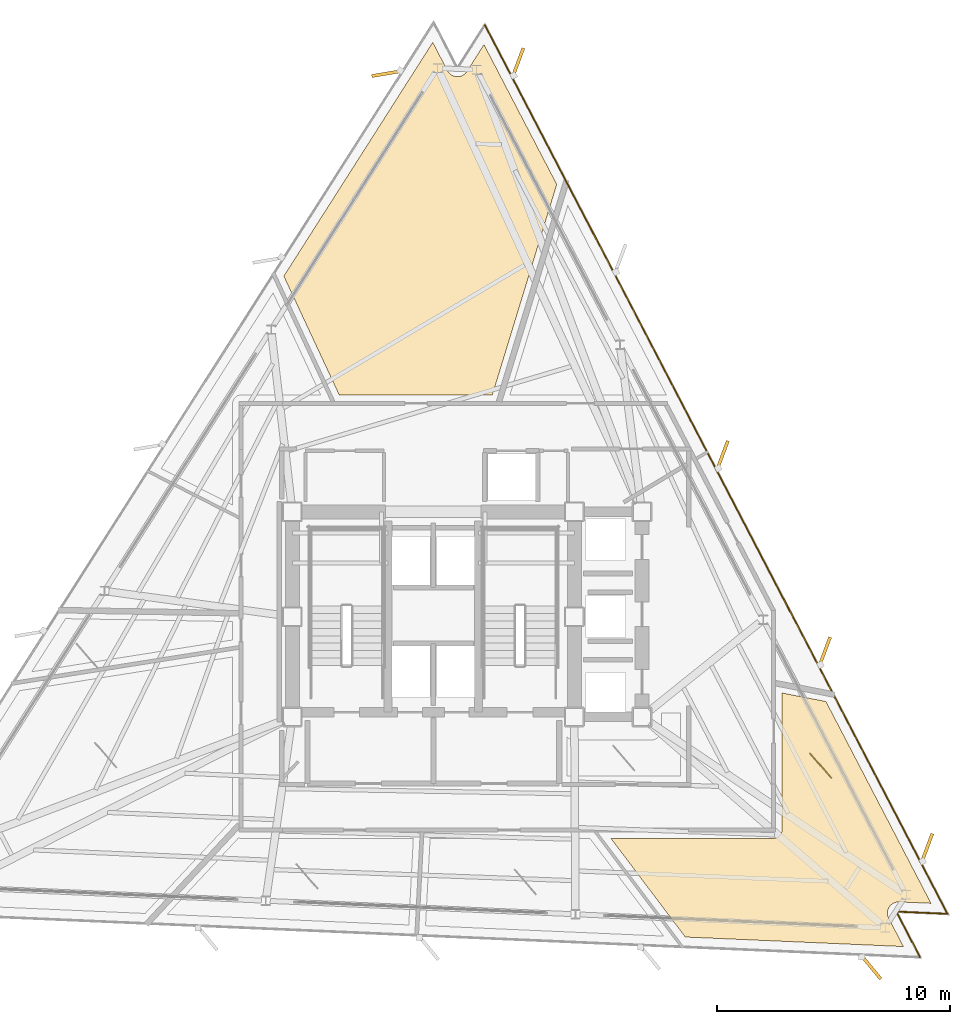
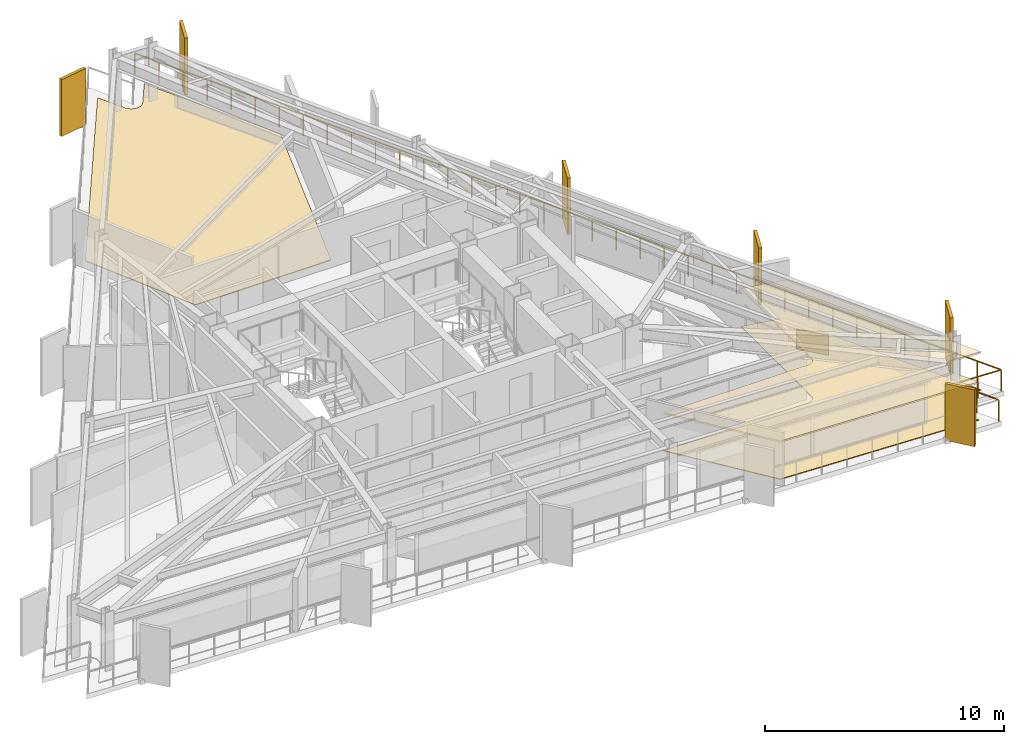
# One storey, part 12 of 12: 6 shading devices, 4 coverings, 1 railing.
"""IFC4 building model written with IfcOpenShell, lengths in metres."""

from ifc_helpers import new_model, si_unit, direction, frame, origin, origin_2d, place, context, subcontext, project, spatial, polyline, rectangle, outline, extrude, material, layer, layer_set, type_object, element, save


model = new_model("IFC4")

# Units and contexts
model_context = context("Model", 3, precision=1e-05, world=origin(), true_north=direction((0.0, 1.0)))
body_context = subcontext(model_context, "Body", "Model", "MODEL_VIEW")
ifc_project = project(units=[si_unit("LENGTHUNIT", "METRE"), si_unit("AREAUNIT", "SQUARE_METRE"), si_unit("VOLUMEUNIT", "CUBIC_METRE"), si_unit("PLANEANGLEUNIT", "RADIAN"), si_unit("MASSUNIT", "GRAM", prefix="KILO")], contexts=[model_context])

# Site, building, storey
site_placement = place(None, origin())
site = spatial("IfcSite", under=ifc_project, at=site_placement, CompositionType="ELEMENT")
building_placement = place(site_placement, origin())
building = spatial("IfcBuilding", under=site, at=building_placement, Name="Rocaltana Carrier Exchange", CompositionType="ELEMENT")
storey_placement = place(building_placement, frame((0.0, 0.0, 141.1201171875)))
storey = spatial("IfcBuildingStorey", under=building, at=storey_placement, Name="L44", CompositionType="ELEMENT", Elevation=141.1201171875)

# Coverings
ifc_material_1 = material(Name="Honed Bogota Sandstone Tile", Category="masonry")
ifc_layer_1 = layer(ifc_material_1, 0.0400390625)
ifc_layer_set_1 = layer_set([ifc_layer_1], Name="Honed Bogota Sandstone Tile")
covering_type_1 = type_object("IfcCoveringType", Name="Honed Stone Lobby Flooring 40", PredefinedType="FLOORING", material=ifc_layer_set_1)
covering_1_placement = place(storey_placement, origin())
element("IfcCovering", 1, at=covering_1_placement, inside=storey, type_object=covering_type_1, Name="L44 Optical Switching Laboratory Finish Floor", PredefinedType="FLOORING", context=body_context, shape_type="SweptSolid", body=[
    extrude(outline(polyline([(21.352294921875, -12.298828125), (19.985107421875, -12.239013671875), (19.97119140625, -12.23876953125), (19.951171875, -12.239013671875), (19.92333984375, -12.240478515625), (19.903564453125, -12.24267578125), (19.8759765625, -12.246826171875), (19.8564453125, -12.2509765625), (19.829345703125, -12.258056640625), (19.810302734375, -12.263916015625), (19.7841796875, -12.273681640625), (19.765869140625, -12.281494140625), (19.740966796875, -12.2939453125), (19.723388671875, -12.303466796875), (19.69970703125, -12.318115234375), (19.683349609375, -12.32958984375), (19.6611328125, -12.3466796875), (19.64599609375, -12.359619140625), (19.62548828125, -12.378662109375), (19.61181640625, -12.392822265625), (19.593505859375, -12.4140625), (19.5810546875, -12.4296875), (19.56494140625, -12.452392578125), (19.55419921875, -12.46923828125), (19.540283203125, -12.493408203125), (19.531494140625, -12.51123046875), (19.52001953125, -12.536865234375), (19.512939453125, -12.555419921875), (19.504150390625, -12.581787109375), (19.498779296875, -12.601318359375), (19.492919921875, -12.62841796875), (19.489501953125, -12.648193359375), (19.486328125, -12.67578125), (19.48486328125, -12.69580078125), (19.484375, -12.7236328125), (19.485107421875, -12.743408203125), (19.4873046875, -12.771240234375), (19.489990234375, -12.791015625), (19.494873046875, -12.818603515625), (19.49951171875, -12.837890625), (19.507080078125, -12.86474609375), (19.513671875, -12.8837890625), (19.52392578125, -12.90966796875), (19.5322265625, -12.927734375), (19.538330078125, -12.940185546875), (20.17041015625, -14.154296875), (10.80859375, -13.74560546875), (7.6171875, -9.510009765625), (14.60009765625, -9.510009765625), (14.61376953125, -9.509765625), (14.62158203125, -9.50927734375), (14.64892578125, -9.506591796875), (14.65673828125, -9.50537109375), (14.68359375, -9.5), (14.69140625, -9.498291015625), (14.717529296875, -9.490234375), (14.724853515625, -9.487548828125), (14.750244140625, -9.47705078125), (14.75732421875, -9.4736328125), (14.78173828125, -9.460693359375), (14.788330078125, -9.456787109375), (14.811279296875, -9.44140625), (14.8173828125, -9.436767578125), (14.8388671875, -9.419189453125), (14.844482421875, -9.4140625), (14.864013671875, -9.39453125), (14.869384765625, -9.388916015625), (14.88671875, -9.367431640625), (14.891357421875, -9.361083984375), (14.90673828125, -9.33837890625), (14.91064453125, -9.331787109375), (14.923583984375, -9.307373046875), (14.927001953125, -9.30029296875), (14.9375, -9.27490234375), (14.940185546875, -9.267578125), (14.9482421875, -9.2412109375), (14.9501953125, -9.233642578125), (14.955322265625, -9.206787109375), (14.95654296875, -9.198974609375), (14.959228515625, -9.171630859375), (14.959716796875, -9.163818359375), (14.9599609375, -9.14990234375), (14.9599609375, -3.274658203125), (16.845703125, -3.64111328125), (21.352294921875, -12.298828125)])), origin(), (0.0, 0.0, 1.0), 0.039794921875),
])
covering_2_placement = place(storey_placement, origin())
element("IfcCovering", 2, at=covering_2_placement, inside=storey, type_object=covering_type_1, Name="L44 Client Reception Foyer Finish Floor", PredefinedType="FLOORING", context=body_context, shape_type="SweptSolid", body=[
    extrude(outline(polyline([(-0.025146484375, 24.64111328125), (0.606689453125, 23.42724609375), (0.613525390625, 23.4150390625), (0.62353515625, 23.397705078125), (0.638916015625, 23.37451171875), (0.650634765625, 23.3583984375), (0.668212890625, 23.336669921875), (0.681396484375, 23.32177734375), (0.700927734375, 23.3017578125), (0.7158203125, 23.288330078125), (0.7373046875, 23.2705078125), (0.753173828125, 23.258544921875), (0.7763671875, 23.242919921875), (0.79345703125, 23.232666015625), (0.818115234375, 23.219482421875), (0.8359375, 23.2109375), (0.86181640625, 23.2001953125), (0.880615234375, 23.193603515625), (0.9072265625, 23.185546875), (0.9267578125, 23.180908203125), (0.9541015625, 23.17529296875), (0.973876953125, 23.172607421875), (1.001708984375, 23.169921875), (1.021484375, 23.169189453125), (1.04931640625, 23.169189453125), (1.0693359375, 23.17041015625), (1.09716796875, 23.17333984375), (1.11669921875, 23.176513671875), (1.14404296875, 23.18212890625), (1.163330078125, 23.18701171875), (1.18994140625, 23.195556640625), (1.208740234375, 23.202392578125), (1.234375, 23.21337890625), (1.252197265625, 23.22216796875), (1.276611328125, 23.235595703125), (1.293701171875, 23.24609375), (1.316650390625, 23.26220703125), (1.33251953125, 23.2744140625), (1.353759765625, 23.292236328125), (1.368408203125, 23.305908203125), (1.3876953125, 23.326171875), (1.400634765625, 23.341064453125), (1.41796875, 23.363037109375), (1.429443359375, 23.37939453125), (1.437255859375, 23.390869140625), (2.172607421875, 24.545166015625), (5.29443359375, 18.548583984375), (2.531005859375, 9.510009765625), (-4.037353515625, 9.510009765625), (-6.41552734375, 14.610107421875), (-0.025146484375, 24.64111328125)])), origin(), (0.0, 0.0, 1.0), 0.039794921875),
])
ifc_material_2 = material(Name="Anodised Aluminium 6063-T6", Category="aluminium")
ifc_layer_2 = layer(ifc_material_2, 0.0849609375)
ifc_layer_set_2 = layer_set([ifc_layer_2], Name="Anodised Aluminium 6063-T6")
covering_type_2 = type_object("IfcCoveringType", Name="Linear Baffle Acoustic Ceiling 85", PredefinedType="CEILING", material=ifc_layer_set_2)
covering_3_placement = place(storey_placement, frame((0.0, 0.0, 1.892822265625)))
element("IfcCovering", 3, at=covering_3_placement, inside=storey, type_object=covering_type_2, Name="L44 Optical Switching Laboratory Acoustic Ceiling", PredefinedType="CEILING", context=body_context, shape_type="SweptSolid", body=[
    extrude(outline(polyline([(21.352294921875, -12.298828125), (19.985107421875, -12.239013671875), (19.97119140625, -12.23876953125), (19.951171875, -12.239013671875), (19.92333984375, -12.240478515625), (19.903564453125, -12.24267578125), (19.8759765625, -12.246826171875), (19.8564453125, -12.2509765625), (19.829345703125, -12.258056640625), (19.810302734375, -12.263916015625), (19.7841796875, -12.273681640625), (19.765869140625, -12.281494140625), (19.740966796875, -12.2939453125), (19.723388671875, -12.303466796875), (19.69970703125, -12.318115234375), (19.683349609375, -12.32958984375), (19.6611328125, -12.3466796875), (19.64599609375, -12.359619140625), (19.62548828125, -12.378662109375), (19.61181640625, -12.392822265625), (19.593505859375, -12.4140625), (19.5810546875, -12.4296875), (19.56494140625, -12.452392578125), (19.55419921875, -12.46923828125), (19.540283203125, -12.493408203125), (19.531494140625, -12.51123046875), (19.52001953125, -12.536865234375), (19.512939453125, -12.555419921875), (19.504150390625, -12.581787109375), (19.498779296875, -12.601318359375), (19.492919921875, -12.62841796875), (19.489501953125, -12.648193359375), (19.486328125, -12.67578125), (19.48486328125, -12.69580078125), (19.484375, -12.7236328125), (19.485107421875, -12.743408203125), (19.4873046875, -12.771240234375), (19.489990234375, -12.791015625), (19.494873046875, -12.818603515625), (19.49951171875, -12.837890625), (19.507080078125, -12.86474609375), (19.513671875, -12.8837890625), (19.52392578125, -12.90966796875), (19.5322265625, -12.927734375), (19.538330078125, -12.940185546875), (20.17041015625, -14.154296875), (10.80859375, -13.74560546875), (7.6171875, -9.510009765625), (14.60009765625, -9.510009765625), (14.61376953125, -9.509765625), (14.62158203125, -9.50927734375), (14.64892578125, -9.506591796875), (14.65673828125, -9.50537109375), (14.68359375, -9.5), (14.69140625, -9.498291015625), (14.717529296875, -9.490234375), (14.724853515625, -9.487548828125), (14.750244140625, -9.47705078125), (14.75732421875, -9.4736328125), (14.78173828125, -9.460693359375), (14.788330078125, -9.456787109375), (14.811279296875, -9.44140625), (14.8173828125, -9.436767578125), (14.8388671875, -9.419189453125), (14.844482421875, -9.4140625), (14.864013671875, -9.39453125), (14.869384765625, -9.388916015625), (14.88671875, -9.367431640625), (14.891357421875, -9.361083984375), (14.90673828125, -9.33837890625), (14.91064453125, -9.331787109375), (14.923583984375, -9.307373046875), (14.927001953125, -9.30029296875), (14.9375, -9.27490234375), (14.940185546875, -9.267578125), (14.9482421875, -9.2412109375), (14.9501953125, -9.233642578125), (14.955322265625, -9.206787109375), (14.95654296875, -9.198974609375), (14.959228515625, -9.171630859375), (14.959716796875, -9.163818359375), (14.9599609375, -9.14990234375), (14.9599609375, -3.274658203125), (16.845703125, -3.64111328125), (21.352294921875, -12.298828125)])), origin(), (0.0, 0.0, 1.0), 0.0849609375),
])
ifc_material_3 = material(Name="Honed Piedra Muneca Sandstone", Category="masonry")
ifc_layer_3 = layer(ifc_material_3, 0.034912109375)
ifc_layer_set_3 = layer_set([ifc_layer_3], Name="Honed Piedra Muneca Sandstone")
covering_type_3 = type_object("IfcCoveringType", Name="Stone Facade Cladding 35", PredefinedType="CLADDING", material=ifc_layer_set_3)
covering_4_placement = place(storey_placement, frame((16.61962890625, -6.3955078125, 0.0), z_axis=(0.0, 0.0, 1.0), x_axis=(-0.656059028991, 0.754709580223, 0.0)))
element("IfcCovering", 4, at=covering_4_placement, inside=storey, type_object=covering_type_3, Name="L44 Stone Facade Cladding Panel 6", PredefinedType="CLADDING", context=body_context, shape_type="SweptSolid", body=[
    extrude(rectangle(XDim=1.39990234375, YDim=0.034912109375, at=origin_2d()), origin(), (0.0, 0.0, 1.0), 1.050048828125),
])

# Shading devices
ifc_material_4 = material(Name="Honed Bogota Sandstone & Concrete C45/55", Category="masonry")
ifc_layer_4 = layer(ifc_material_4, 0.139892578125)
ifc_layer_set_4 = layer_set([ifc_layer_4], Name="Honed Bogota Sandstone & Concrete C45/55")
shading_device_type = type_object("IfcShadingDeviceType", Name="Vertical Sandstone Shading Fin 1320x140", PredefinedType="USERDEFINED", material=ifc_layer_set_4)
for number, where, z_axis, x_axis, name in (
    (5, (21.1787109375, -9.927490234375, -0.1201171875), (0.0, 0.0, 1.0), (0.350207381259, 0.936672189248, 0.0), "L44 Sandstone Vertical Fin F1-01"),
    (6, (16.7919921875, -1.5009765625, -0.1201171875), (0.0, 0.0, 1.0), (0.350207381259, 0.936672189248, 0.0), "L44 Sandstone Vertical Fin F1-02"),
    (7, (12.405517578125, 6.925537109375, -0.1201171875), (0.0, 0.0, 1.0), (0.350207381259, 0.936672189248, 0.0), "L44 Sandstone Vertical Fin F1-03"),
    (8, (3.63232421875, 23.77880859375, -0.1201171875), (0.0, 0.0, 1.0), (0.350207381259, 0.936672189248, 0.0), "L44 Sandstone Vertical Fin F1-05"),
    (9, (-1.99169921875, 23.30517578125, -0.1201171875), (0.0, 0.0, 1.0), (-0.986285601537, -0.165047605861, 0.0), "L44 Sandstone Vertical Fin F2-01"),
    (10, (18.77685546875, -15.034912109375, -0.1201171875), (0.0, 0.0, 1.0), (0.636078220278, -0.771624583388, 0.0), "L44 Sandstone Vertical Fin F3-05"),
):
    element("IfcShadingDevice", number, at=place(storey_placement, frame(where, z_axis=z_axis, x_axis=x_axis)), inside=storey, type_object=shading_device_type, Name=name, ObjectType="FIN", PredefinedType="USERDEFINED", context=body_context, shape_type="SweptSolid", body=[
        extrude(rectangle(XDim=1.320068359375, YDim=0.139892578125, at=origin_2d()), origin(), (0.0, 0.0, 1.0), 2.907958984375),
    ])

# Railing
ifc_material_5 = material(Name="Powder-Coated Aluminium 6063-T6", Category="aluminium")
ifc_layer_5 = layer(ifc_material_5, 0.06005859375)
ifc_layer_set_5 = layer_set([ifc_layer_5], Name="Powder-Coated Aluminium 6063-T6")
railing_type = type_object("IfcRailingType", Name="Wind-Floor & Terrace Perimeter Guardrail 1100", PredefinedType="GUARDRAIL", material=ifc_layer_set_5)
railing_placement = place(storey_placement, frame((2.20947265625, 25.384521484375, 0.0)))
element("IfcRailing", 11, at=railing_placement, inside=storey, type_object=railing_type, Name="L44 Perimeter Balcony Guardrail 3", PredefinedType="GUARDRAIL", context=body_context, shape_type="SweptSolid", body=[
    extrude(rectangle(XDim=0.048095703125, YDim=0.048095703125, at=origin_2d()), frame((0.0, 0.0, 1.076171875), z_axis=(0.461743909672, -0.887013281682, 0.0), x_axis=(0.887013281682, 0.461743909672, 0.0)), (0.0, 0.0, 1.0), 42.991943359375),
    extrude(rectangle(XDim=0.048095703125, YDim=0.048095703125, at=origin_2d()), frame((19.851318359375, -38.134521484375, 1.076171875), z_axis=(-0.999048394753, 0.043615420922, 0.0), x_axis=(-0.043615420922, -0.999048394753, 0.0)), (0.0, 0.0, 1.0), 2.199951171875),
    extrude(rectangle(XDim=0.048095703125, YDim=0.048095703125, at=origin_2d()), frame((17.653564453125, -38.03857421875, 1.076171875), z_axis=(0.461758004933, -0.887005944107, 0.0), x_axis=(0.887005944107, 0.461758004933, 0.0)), (0.0, 0.0, 1.0), 2.199951171875),
    extrude(rectangle(XDim=0.0419921875, YDim=0.0419921875, at=origin_2d()), origin(), (0.0, 0.0, 1.0), 1.052001953125),
    extrude(rectangle(XDim=0.0419921875, YDim=0.0419921875, at=origin_2d()), frame((0.551513671875, -1.059326171875, 0.0)), (0.0, 0.0, 1.0), 1.052001953125),
    extrude(rectangle(XDim=0.0419921875, YDim=0.0419921875, at=origin_2d()), frame((1.102783203125, -2.11865234375, 0.0)), (0.0, 0.0, 1.0), 1.052001953125),
    extrude(rectangle(XDim=0.0419921875, YDim=0.0419921875, at=origin_2d()), frame((1.654296875, -3.177978515625, 0.0)), (0.0, 0.0, 1.0), 1.052001953125),
    extrude(rectangle(XDim=0.0419921875, YDim=0.0419921875, at=origin_2d()), frame((2.205810546875, -4.237060546875, 0.0)), (0.0, 0.0, 1.0), 1.052001953125),
    extrude(rectangle(XDim=0.0419921875, YDim=0.0419921875, at=origin_2d()), frame((2.757080078125, -5.29638671875, 0.0)), (0.0, 0.0, 1.0), 1.052001953125),
    extrude(rectangle(XDim=0.0419921875, YDim=0.0419921875, at=origin_2d()), frame((3.30859375, -6.355712890625, 0.0)), (0.0, 0.0, 1.0), 1.052001953125),
    extrude(rectangle(XDim=0.0419921875, YDim=0.0419921875, at=origin_2d()), frame((3.85986328125, -7.4150390625, 0.0)), (0.0, 0.0, 1.0), 1.052001953125),
    extrude(rectangle(XDim=0.0419921875, YDim=0.0419921875, at=origin_2d()), frame((4.411376953125, -8.474365234375, 0.0)), (0.0, 0.0, 1.0), 1.052001953125),
    extrude(rectangle(XDim=0.0419921875, YDim=0.0419921875, at=origin_2d()), frame((4.962890625, -9.53369140625, 0.0)), (0.0, 0.0, 1.0), 1.052001953125),
    extrude(rectangle(XDim=0.0419921875, YDim=0.0419921875, at=origin_2d()), frame((5.51416015625, -10.593017578125, 0.0)), (0.0, 0.0, 1.0), 1.052001953125),
    extrude(rectangle(XDim=0.0419921875, YDim=0.0419921875, at=origin_2d()), frame((6.065673828125, -11.652099609375, 0.0)), (0.0, 0.0, 1.0), 1.052001953125),
    extrude(rectangle(XDim=0.0419921875, YDim=0.0419921875, at=origin_2d()), frame((6.6171875, -12.71142578125, 0.0)), (0.0, 0.0, 1.0), 1.052001953125),
    extrude(rectangle(XDim=0.0419921875, YDim=0.0419921875, at=origin_2d()), frame((7.16845703125, -13.770751953125, 0.0)), (0.0, 0.0, 1.0), 1.052001953125),
    extrude(rectangle(XDim=0.0419921875, YDim=0.0419921875, at=origin_2d()), frame((7.719970703125, -14.830078125, 0.0)), (0.0, 0.0, 1.0), 1.052001953125),
    extrude(rectangle(XDim=0.0419921875, YDim=0.0419921875, at=origin_2d()), frame((8.271484375, -15.889404296875, 0.0)), (0.0, 0.0, 1.0), 1.052001953125),
    extrude(rectangle(XDim=0.0419921875, YDim=0.0419921875, at=origin_2d()), frame((8.82275390625, -16.94873046875, 0.0)), (0.0, 0.0, 1.0), 1.052001953125),
    extrude(rectangle(XDim=0.0419921875, YDim=0.0419921875, at=origin_2d()), frame((9.374267578125, -18.008056640625, 0.0)), (0.0, 0.0, 1.0), 1.052001953125),
    extrude(rectangle(XDim=0.0419921875, YDim=0.0419921875, at=origin_2d()), frame((9.92578125, -19.0673828125, 0.0)), (0.0, 0.0, 1.0), 1.052001953125),
    extrude(rectangle(XDim=0.0419921875, YDim=0.0419921875, at=origin_2d()), frame((10.47705078125, -20.12646484375, 0.0)), (0.0, 0.0, 1.0), 1.052001953125),
    extrude(rectangle(XDim=0.0419921875, YDim=0.0419921875, at=origin_2d()), frame((11.028564453125, -21.185791015625, 0.0)), (0.0, 0.0, 1.0), 1.052001953125),
    extrude(rectangle(XDim=0.0419921875, YDim=0.0419921875, at=origin_2d()), frame((11.579833984375, -22.2451171875, 0.0)), (0.0, 0.0, 1.0), 1.052001953125),
    extrude(rectangle(XDim=0.0419921875, YDim=0.0419921875, at=origin_2d()), frame((12.13134765625, -23.304443359375, 0.0)), (0.0, 0.0, 1.0), 1.052001953125),
    extrude(rectangle(XDim=0.0419921875, YDim=0.0419921875, at=origin_2d()), frame((12.682861328125, -24.36376953125, 0.0)), (0.0, 0.0, 1.0), 1.052001953125),
    extrude(rectangle(XDim=0.0419921875, YDim=0.0419921875, at=origin_2d()), frame((13.234130859375, -25.423095703125, 0.0)), (0.0, 0.0, 1.0), 1.052001953125),
    extrude(rectangle(XDim=0.0419921875, YDim=0.0419921875, at=origin_2d()), frame((13.78564453125, -26.482421875, 0.0)), (0.0, 0.0, 1.0), 1.052001953125),
    extrude(rectangle(XDim=0.0419921875, YDim=0.0419921875, at=origin_2d()), frame((14.337158203125, -27.54150390625, 0.0)), (0.0, 0.0, 1.0), 1.052001953125),
    extrude(rectangle(XDim=0.0419921875, YDim=0.0419921875, at=origin_2d()), frame((14.888427734375, -28.600830078125, 0.0)), (0.0, 0.0, 1.0), 1.052001953125),
    extrude(rectangle(XDim=0.0419921875, YDim=0.0419921875, at=origin_2d()), frame((15.43994140625, -29.66015625, 0.0)), (0.0, 0.0, 1.0), 1.052001953125),
    extrude(rectangle(XDim=0.0419921875, YDim=0.0419921875, at=origin_2d()), frame((15.991455078125, -30.719482421875, 0.0)), (0.0, 0.0, 1.0), 1.052001953125),
    extrude(rectangle(XDim=0.0419921875, YDim=0.0419921875, at=origin_2d()), frame((16.542724609375, -31.77880859375, 0.0)), (0.0, 0.0, 1.0), 1.052001953125),
    extrude(rectangle(XDim=0.0419921875, YDim=0.0419921875, at=origin_2d()), frame((17.09423828125, -32.838134765625, 0.0)), (0.0, 0.0, 1.0), 1.052001953125),
    extrude(rectangle(XDim=0.0419921875, YDim=0.0419921875, at=origin_2d()), frame((17.6455078125, -33.8974609375, 0.0)), (0.0, 0.0, 1.0), 1.052001953125),
    extrude(rectangle(XDim=0.0419921875, YDim=0.0419921875, at=origin_2d()), frame((18.197021484375, -34.95654296875, 0.0)), (0.0, 0.0, 1.0), 1.052001953125),
    extrude(rectangle(XDim=0.0419921875, YDim=0.0419921875, at=origin_2d()), frame((18.74853515625, -36.015869140625, 0.0)), (0.0, 0.0, 1.0), 1.052001953125),
    extrude(rectangle(XDim=0.0419921875, YDim=0.0419921875, at=origin_2d()), frame((19.2998046875, -37.0751953125, 0.0)), (0.0, 0.0, 1.0), 1.052001953125),
    extrude(rectangle(XDim=0.0419921875, YDim=0.0419921875, at=origin_2d()), frame((19.851318359375, -38.134521484375, 0.0)), (0.0, 0.0, 1.0), 1.052001953125),
    extrude(rectangle(XDim=0.0419921875, YDim=0.0419921875, at=origin_2d()), frame((18.75244140625, -38.08642578125, 0.0)), (0.0, 0.0, 1.0), 1.052001953125),
    extrude(rectangle(XDim=0.0419921875, YDim=0.0419921875, at=origin_2d()), frame((17.653564453125, -38.03857421875, 0.0)), (0.0, 0.0, 1.0), 1.052001953125),
    extrude(rectangle(XDim=0.0419921875, YDim=0.0419921875, at=origin_2d()), frame((18.16162109375, -39.01416015625, 0.0)), (0.0, 0.0, 1.0), 1.052001953125),
    extrude(rectangle(XDim=0.0419921875, YDim=0.0419921875, at=origin_2d()), frame((18.66943359375, -39.989990234375, 0.0)), (0.0, 0.0, 1.0), 1.052001953125),
])

save(model, "model.ifc")
